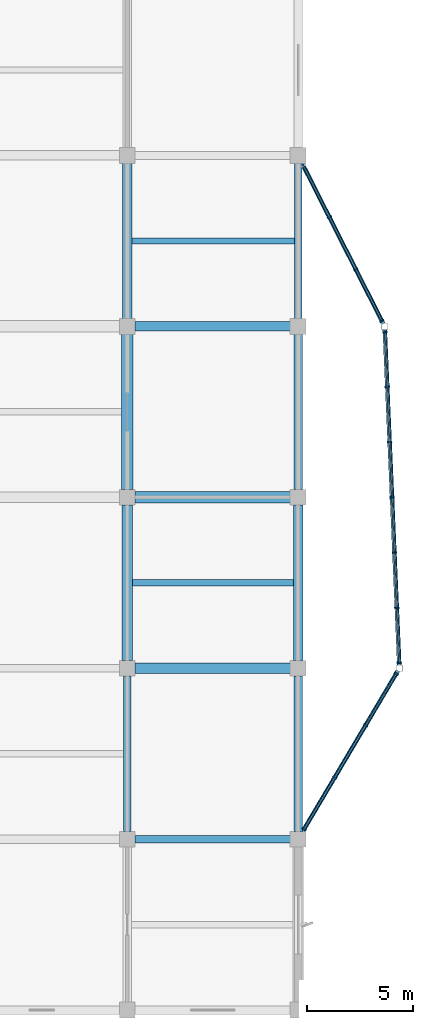
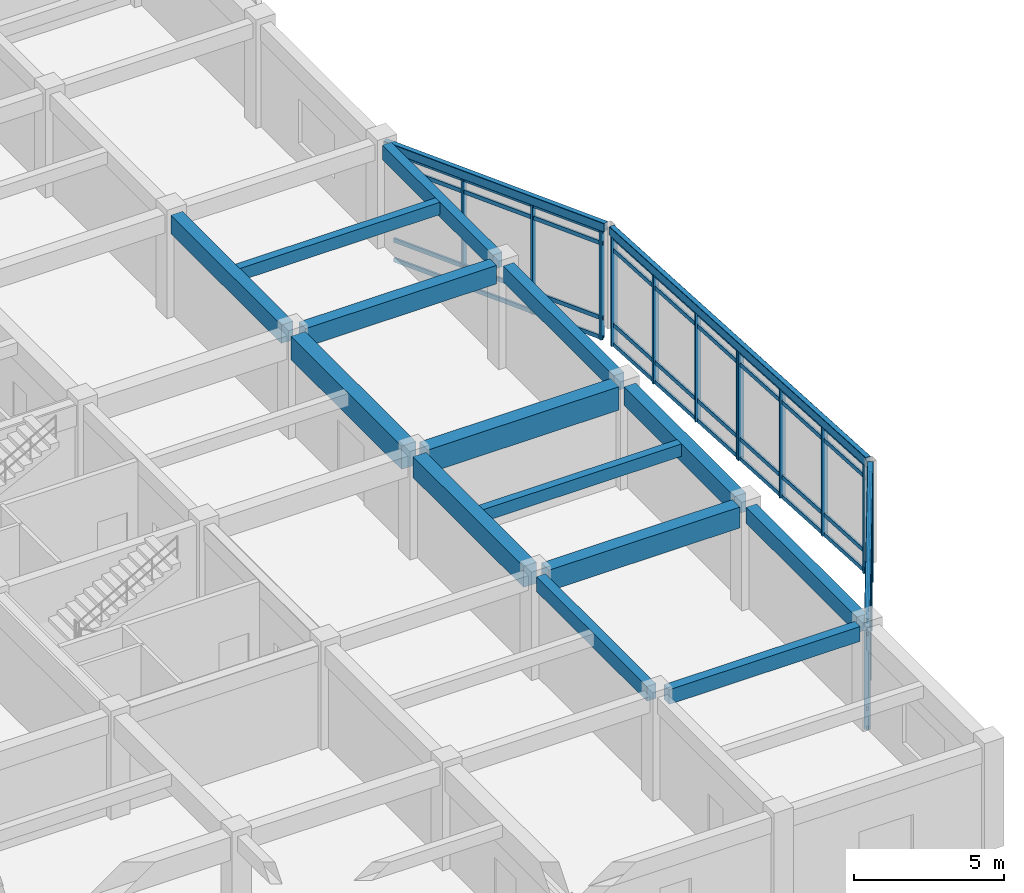
# One storey, part 28 of 70: 31 members, 17 beams, 4 elements without a shape of their own.
"""IFC4 building model written with IfcOpenShell, lengths in metres."""

from ifc_helpers import new_model, si_unit, direction, frame, origin, origin_2d, place, context, subcontext, project, spatial, rectangle, hollow_rectangle, extrude, material, layer, layer_set, material_profile, profile_set, type_object, element, aggregate, save


model = new_model("IFC4")

# Units and contexts
model_context = context("Model", 3, precision=1e-05, world=origin(), true_north=direction((0.0, 1.0)))
body_context = subcontext(model_context, "Body", "Model", "MODEL_VIEW")
ifc_project = project(units=[si_unit("LENGTHUNIT", "METRE"), si_unit("AREAUNIT", "SQUARE_METRE"), si_unit("VOLUMEUNIT", "CUBIC_METRE"), si_unit("PLANEANGLEUNIT", "RADIAN"), si_unit("MASSUNIT", "GRAM", prefix="KILO")], contexts=[model_context])

# Site, building, storey
site_placement = place(None, origin())
site = spatial("IfcSite", under=ifc_project, at=site_placement, CompositionType="ELEMENT")
building_placement = place(site_placement, origin())
building = spatial("IfcBuilding", under=site, at=building_placement, Name="Vaudrelin Polytechnic", CompositionType="ELEMENT")
storey_placement = place(building_placement, frame((0.0, 0.0, 14.110107421875)))
storey = spatial("IfcBuildingStorey", under=building, at=storey_placement, Name="L03", CompositionType="ELEMENT", Elevation=14.110107421875)

# Beams
ifc_material_1 = material(Name="Concrete 40 MPa", Category="concrete")
ifc_material_profile_1 = material_profile(ifc_material_1, rectangle(XDim=0.35009765625, YDim=0.60009765625, at=origin_2d()), Name="RC350x600")
ifc_profile_set_1 = profile_set([ifc_material_profile_1], Name="Concrete 40 MPa")
beam_type_1 = type_object("IfcBeamType", Name="BM-BM-RC3560", PredefinedType="BEAM", material=ifc_profile_set_1)
for number, where, z_axis, x_axis, name in (
    (1, (162.0, 24.659912109375, 3.85986328125), (0.0, 1.0, 0.0), (-1.0, 0.0, 0.0), "L03 Y-beam 21-4"),
    (2, (170.10009765625, 48.9599609375, 3.85986328125), (0.0, 1.0, 0.0), (-1.0, 0.0, 0.0), "L03 Y-beam 22-7"),
):
    element("IfcBeam", number, at=place(storey_placement, frame(where, z_axis=z_axis, x_axis=x_axis)), inside=storey, type_object=beam_type_1, Name=name, PredefinedType="BEAM", context=body_context, shape_type="SweptSolid", body=[
        extrude(rectangle(XDim=0.35009765625, YDim=0.60009765625, at=origin_2d()), origin(), (0.0, 0.0, 1.0), 7.380126953125),
    ])
beam_1_placement = place(storey_placement, frame((162.37109375, 24.300048828125, 3.85986328125), z_axis=(1.0, 0.0, 0.0), x_axis=(0.0, 1.0, 0.0)))
element("IfcBeam", 3, at=beam_1_placement, inside=storey, type_object=beam_type_1, Name="L03 X-beam 21-4", PredefinedType="BEAM", context=body_context, shape_type="SweptSolid", body=[
    extrude(rectangle(XDim=0.35009765625, YDim=0.60009765625, at=origin_2d()), origin(), (0.0, 0.0, 1.0), 7.35791015625),
])
ifc_material_profile_2 = material_profile(ifc_material_1, rectangle(XDim=0.39990234375, YDim=0.64990234375, at=origin_2d()), Name="RC400x650")
ifc_profile_set_2 = profile_set([ifc_material_profile_2], Name="Concrete 40 MPa")
beam_type_2 = type_object("IfcBeamType", Name="BM-BM-RC4065", PredefinedType="BEAM", material=ifc_profile_set_2)
beam_2_placement = place(storey_placement, frame((170.10009765625, 40.860107421875, 3.8349609375), z_axis=(0.0, 1.0, 0.0), x_axis=(-1.0, 0.0, 0.0)))
element("IfcBeam", 4, at=beam_2_placement, inside=storey, type_object=beam_type_2, Name="L03 Y-beam 22-6", PredefinedType="BEAM", context=body_context, shape_type="SweptSolid", body=[
    extrude(rectangle(XDim=0.39990234375, YDim=0.64990234375, at=origin_2d()), origin(), (0.0, 0.0, 1.0), 7.3798828125),
])
ifc_material_profile_3 = material_profile(ifc_material_1, rectangle(XDim=0.449951171875, YDim=0.75, at=origin_2d()), Name="RC450x750")
ifc_profile_set_3 = profile_set([ifc_material_profile_3], Name="Concrete 40 MPa")
beam_type_3 = type_object("IfcBeamType", Name="BM-BM-RC4575", PredefinedType="BEAM", material=ifc_profile_set_3)
beam_3_placement = place(storey_placement, frame((162.0, 48.9599609375, 3.784912109375), z_axis=(0.0, 1.0, 0.0), x_axis=(-1.0, 0.0, 0.0)))
element("IfcBeam", 5, at=beam_3_placement, inside=storey, type_object=beam_type_3, Name="L03 Y-beam 21-7", PredefinedType="BEAM", context=body_context, shape_type="SweptSolid", body=[
    extrude(rectangle(XDim=0.449951171875, YDim=0.75, at=origin_2d()), origin(), (0.0, 0.0, 1.0), 7.380126953125),
])
beam_4_placement = place(storey_placement, frame((170.10009765625, 32.760009765625, 3.784912109375), z_axis=(0.0, 1.0, 0.0), x_axis=(-1.0, 0.0, 0.0)))
element("IfcBeam", 6, at=beam_4_placement, inside=storey, type_object=beam_type_3, Name="L03 Y-beam 22-5", PredefinedType="BEAM", context=body_context, shape_type="SweptSolid", body=[
    extrude(rectangle(XDim=0.449951171875, YDim=0.75, at=origin_2d()), origin(), (0.0, 0.0, 1.0), 7.3798828125),
])
beam_5_placement = place(storey_placement, frame((162.37109375, 48.60009765625, 3.784912109375), z_axis=(1.0, 0.0, 0.0), x_axis=(0.0, 1.0, 0.0)))
element("IfcBeam", 7, at=beam_5_placement, inside=storey, type_object=beam_type_3, Name="L03 X-beam 21-7", PredefinedType="BEAM", context=body_context, shape_type="SweptSolid", body=[
    extrude(rectangle(XDim=0.449951171875, YDim=0.75, at=origin_2d()), origin(), (0.0, 0.0, 1.0), 7.35791015625),
])
ifc_material_profile_4 = material_profile(ifc_material_1, rectangle(XDim=0.5, YDim=0.85009765625, at=origin_2d()), Name="RC500x850")
ifc_profile_set_4 = profile_set([ifc_material_profile_4], Name="Concrete 40 MPa")
beam_type_4 = type_object("IfcBeamType", Name="BM-BM-RC5085", PredefinedType="BEAM", material=ifc_profile_set_4)
beam_6_placement = place(storey_placement, frame((162.0, 32.760009765625, 3.73486328125), z_axis=(0.0, 1.0, 0.0), x_axis=(-1.0, 0.0, 0.0)))
element("IfcBeam", 8, at=beam_6_placement, inside=storey, type_object=beam_type_4, Name="L03 Y-beam 21-5", PredefinedType="BEAM", context=body_context, shape_type="SweptSolid", body=[
    extrude(rectangle(XDim=0.5, YDim=0.85009765625, at=origin_2d()), origin(), (0.0, 0.0, 1.0), 7.3798828125),
])
beam_7_placement = place(storey_placement, frame((162.37109375, 32.39990234375, 3.73486328125), z_axis=(1.0, 0.0, 0.0), x_axis=(0.0, 1.0, 0.0)))
element("IfcBeam", 9, at=beam_7_placement, inside=storey, type_object=beam_type_4, Name="L03 X-beam 21-5", PredefinedType="BEAM", context=body_context, shape_type="SweptSolid", body=[
    extrude(rectangle(XDim=0.5, YDim=0.85009765625, at=origin_2d()), origin(), (0.0, 0.0, 1.0), 7.35791015625),
])
ifc_material_2 = material(Name="Concrete 50 MPa", Category="concrete")
ifc_material_profile_5 = material_profile(ifc_material_2, rectangle(XDim=0.550048828125, YDim=0.949951171875, at=origin_2d()), Name="RC550x950")
ifc_profile_set_5 = profile_set([ifc_material_profile_5], Name="Concrete 50 MPa")
beam_type_5 = type_object("IfcBeamType", Name="BM-BM-RC5595", PredefinedType="BEAM", material=ifc_profile_set_5)
beam_8_placement = place(storey_placement, frame((162.0, 40.860107421875, 3.684814453125), z_axis=(0.0, 1.0, 0.0), x_axis=(-1.0, 0.0, 0.0)))
element("IfcBeam", 10, at=beam_8_placement, inside=storey, type_object=beam_type_5, Name="L03 Y-beam 21-6", PredefinedType="BEAM", context=body_context, shape_type="SweptSolid", body=[
    extrude(rectangle(XDim=0.550048828125, YDim=0.949951171875, at=origin_2d()), origin(), (0.0, 0.0, 1.0), 7.3798828125),
])
beam_9_placement = place(storey_placement, frame((162.37109375, 40.5, 3.684814453125), z_axis=(1.0, 0.0, 0.0), x_axis=(0.0, 1.0, 0.0)))
element("IfcBeam", 11, at=beam_9_placement, inside=storey, type_object=beam_type_5, Name="L03 X-beam 21-6", PredefinedType="BEAM", context=body_context, shape_type="SweptSolid", body=[
    extrude(rectangle(XDim=0.550048828125, YDim=0.949951171875, at=origin_2d()), origin(), (0.0, 0.0, 1.0), 7.35791015625),
])
ifc_material_profile_6 = material_profile(ifc_material_1, rectangle(XDim=0.300048828125, YDim=0.5, at=origin_2d()), Name="RC300x500")
ifc_profile_set_6 = profile_set([ifc_material_profile_6], Name="Concrete 40 MPa")
beam_type_6 = type_object("IfcBeamType", Name="BM-JS-RC3050", PredefinedType="JOIST", material=ifc_profile_set_6)
beam_10_placement = place(storey_placement, frame((162.24609375, 36.449951171875, 3.909912109375), z_axis=(1.0, 0.0, 0.0), x_axis=(0.0, 1.0, 0.0)))
element("IfcBeam", 12, at=beam_10_placement, inside=storey, type_object=beam_type_6, Name="L03 floor joist 21-5", PredefinedType="JOIST", context=body_context, shape_type="SweptSolid", body=[
    extrude(rectangle(XDim=0.300048828125, YDim=0.5, at=origin_2d()), origin(), (0.0, 0.0, 1.0), 7.6328125),
])
beam_11_placement = place(storey_placement, frame((162.220947265625, 52.64990234375, 3.909912109375), z_axis=(1.0, 0.0, 0.0), x_axis=(0.0, 1.0, 0.0)))
element("IfcBeam", 13, at=beam_11_placement, inside=storey, type_object=beam_type_6, Name="L03 floor joist 21-7", PredefinedType="JOIST", context=body_context, shape_type="SweptSolid", body=[
    extrude(rectangle(XDim=0.300048828125, YDim=0.5, at=origin_2d()), origin(), (0.0, 0.0, 1.0), 7.7080078125),
])
ifc_material_3 = material(Name="Steel CSA G40.21 350WT", Category="steel")
ifc_material_profile_7 = material_profile(ifc_material_3, hollow_rectangle(XDim=0.202880859375, YDim=0.35595703125, WallThickness=0.0126953125, InnerFilletRadius=0.0126953125, OuterFilletRadius=0.025390625, at=origin_2d()), Name="HSS356x203x12.7")
ifc_profile_set_7 = profile_set([ifc_material_profile_7], Name="Steel CSA G40.21 350WT")
beam_type_7 = type_object("IfcBeamType", Name="BM-SP-HSS35", PredefinedType="SPANDREL", material=ifc_profile_set_7)
beam_12_placement = place(storey_placement, frame((170.17138671875, 24.42041015625, 3.98193359375), z_axis=(0.509799460083, 0.860293270053, 0.0), x_axis=(-0.860293270053, 0.509799460083, 0.0)))
element("IfcBeam", 14, at=beam_12_placement, inside=storey, type_object=beam_type_7, Name="Sculptural edge beam L03 E_OR1_B1", PredefinedType="SPANDREL", context=body_context, shape_type="SweptSolid", body=[
    extrude(hollow_rectangle(XDim=0.202880859375, YDim=0.35595703125, WallThickness=0.0126953125, InnerFilletRadius=0.0126953125, OuterFilletRadius=0.025390625, at=origin_2d()), origin(), (0.0, 0.0, 1.0), 9.135498046875),
])
beam_13_placement = place(storey_placement, frame((174.89404296875, 32.539794921875, 3.98193359375), z_axis=(-0.043173936739, 0.999067570881, 0.0), x_axis=(-0.999067570881, -0.043173936739, 0.0)))
element("IfcBeam", 15, at=beam_13_placement, inside=storey, type_object=beam_type_7, Name="Sculptural edge beam L03 E_OR1_B2", PredefinedType="SPANDREL", context=body_context, shape_type="SweptSolid", body=[
    extrude(hollow_rectangle(XDim=0.202880859375, YDim=0.35595703125, WallThickness=0.0126953125, InnerFilletRadius=0.0126953125, OuterFilletRadius=0.025390625, at=origin_2d()), origin(), (0.0, 0.0, 1.0), 15.935302734375),
])
beam_14_placement = place(storey_placement, frame((174.13671875, 48.724853515625, 3.98193359375), z_axis=(-0.451614433944, 0.892213204931, 0.0), x_axis=(-0.892213204931, -0.451614433944, 0.0)))
element("IfcBeam", 16, at=beam_14_placement, inside=storey, type_object=beam_type_7, Name="Sculptural edge beam L03 E_OR1_B3", PredefinedType="SPANDREL", context=body_context, shape_type="SweptSolid", body=[
    extrude(hollow_rectangle(XDim=0.202880859375, YDim=0.35595703125, WallThickness=0.0126953125, InnerFilletRadius=0.0126953125, OuterFilletRadius=0.025390625, at=origin_2d()), origin(), (0.0, 0.0, 1.0), 8.798828125),
])
ifc_material_profile_8 = material_profile(ifc_material_1, rectangle(XDim=0.39990234375, YDim=0.64990234375, at=origin_2d()), Name="RC400x650")
ifc_profile_set_8 = profile_set([ifc_material_profile_8], Name="Concrete 40 MPa")
beam_type_8 = type_object("IfcBeamType", Name="BM-SP-RC4065", PredefinedType="SPANDREL", material=ifc_profile_set_8)
beam_15_placement = place(storey_placement, frame((170.10009765625, 24.659912109375, 3.8349609375), z_axis=(0.0, 1.0, 0.0), x_axis=(-1.0, 0.0, 0.0)))
element("IfcBeam", 17, at=beam_15_placement, inside=storey, type_object=beam_type_8, Name="L03 Y-beam 22-4", PredefinedType="SPANDREL", context=body_context, shape_type="SweptSolid", body=[
    extrude(rectangle(XDim=0.39990234375, YDim=0.64990234375, at=origin_2d()), origin(), (0.0, 0.0, 1.0), 7.380126953125),
])

# Curtain wall, members
ifc_material_4 = material(Name="Thermally broken anodised aluminium AA 6063-T6 and low-e triple glazing", Category="aluminium")
ifc_layer = layer(ifc_material_4, 0.199951171875)
ifc_layer_set = layer_set([ifc_layer], Name="Thermally broken anodised aluminium AA 6063-T6 and low-e triple glazing")
curtain_wall_type = type_object("IfcCurtainWallType", Name="CW-CW-LAB", PredefinedType="USERDEFINED", material=ifc_layer_set)
curtain_wall_1_placement = place(storey_placement, origin())
curtain_wall_1 = element("IfcCurtainWall", 18, at=curtain_wall_1_placement, inside=storey, type_object=curtain_wall_type, Name="Curtain wall L03 E_OR1_1_0", ObjectType="CURTAIN WALL", PredefinedType="USERDEFINED")
ifc_material_5 = material(Name="Anodised aluminium AA 6063-T6", Category="aluminium")
ifc_material_profile_9 = material_profile(ifc_material_5, rectangle(XDim=0.074951171875, YDim=0.219970703125, at=origin_2d()), Name="CWM-75x220")
ifc_profile_set_9 = profile_set([ifc_material_profile_9], Name="Anodised aluminium AA 6063-T6")
member_type_1 = type_object("IfcMemberType", Name="MEM-CWM-220", PredefinedType="MULLION", material=ifc_profile_set_9)
member_1_placement = place(storey_placement, frame((170.385986328125, 24.782470703125, -0.630126953125), z_axis=(0.0, 0.0, 1.0), x_axis=(0.509796356978, 0.860295108908, 0.0)))
member_1 = element("IfcMember", 19, at=member_1_placement, type_object=member_type_1, Name="E_OR1_1_0 mullion 1", PredefinedType="MULLION", context=body_context, shape_type="SweptSolid", body=[
    extrude(rectangle(XDim=0.074951171875, YDim=0.219970703125, at=origin_2d()), origin(), (0.0, 0.0, 1.0), 4.43994140625),
])
member_2_placement = place(storey_placement, frame((171.83251953125, 27.223388671875, -0.630126953125), z_axis=(0.0, 0.0, 1.0), x_axis=(0.509796356978, 0.860295108908, 0.0)))
member_2 = element("IfcMember", 20, at=member_2_placement, type_object=member_type_1, Name="E_OR1_1_0 mullion 2", PredefinedType="MULLION", context=body_context, shape_type="SweptSolid", body=[
    extrude(rectangle(XDim=0.074951171875, YDim=0.219970703125, at=origin_2d()), origin(), (0.0, 0.0, 1.0), 4.43994140625),
])
member_3_placement = place(storey_placement, frame((173.29931640625, 29.698974609375, -0.630126953125), z_axis=(0.0, 0.0, 1.0), x_axis=(0.509796356978, 0.860295108908, 0.0)))
member_3 = element("IfcMember", 21, at=member_3_placement, type_object=member_type_1, Name="E_OR1_1_0 mullion 3", PredefinedType="MULLION", context=body_context, shape_type="SweptSolid", body=[
    extrude(rectangle(XDim=0.074951171875, YDim=0.219970703125, at=origin_2d()), origin(), (0.0, 0.0, 1.0), 4.43994140625),
])
member_4_placement = place(storey_placement, frame((174.745849609375, 32.139892578125, -0.630126953125), z_axis=(0.0, 0.0, 1.0), x_axis=(0.509796356978, 0.860295108908, 0.0)))
member_4 = element("IfcMember", 22, at=member_4_placement, type_object=member_type_1, Name="E_OR1_1_0 mullion 4", PredefinedType="MULLION", context=body_context, shape_type="SweptSolid", body=[
    extrude(rectangle(XDim=0.074951171875, YDim=0.219970703125, at=origin_2d()), origin(), (0.0, 0.0, 1.0), 4.43994140625),
])

curtain_wall_2_placement = place(storey_placement, origin())
curtain_wall_2 = element("IfcCurtainWall", 23, at=curtain_wall_2_placement, inside=storey, type_object=curtain_wall_type, Name="Curtain wall L03 E_OR1_2_0", ObjectType="CURTAIN WALL", PredefinedType="USERDEFINED")
member_5_placement = place(storey_placement, frame((174.887939453125, 32.677490234375, -0.630126953125), z_axis=(0.0, 0.0, 1.0), x_axis=(-0.043164270821, 0.99906798854, 0.0)))
member_5 = element("IfcMember", 24, at=member_5_placement, type_object=member_type_1, Name="E_OR1_2_0 mullion 1", PredefinedType="MULLION", context=body_context, shape_type="SweptSolid", body=[
    extrude(rectangle(XDim=0.074951171875, YDim=0.219970703125, at=origin_2d()), origin(), (0.0, 0.0, 1.0), 4.43994140625),
])
member_6_placement = place(storey_placement, frame((174.776611328125, 35.25830078125, -0.630126953125), z_axis=(0.0, 0.0, 1.0), x_axis=(-0.043164270821, 0.99906798854, 0.0)))
member_6 = element("IfcMember", 25, at=member_6_placement, type_object=member_type_1, Name="E_OR1_2_0 mullion 2", PredefinedType="MULLION", context=body_context, shape_type="SweptSolid", body=[
    extrude(rectangle(XDim=0.074951171875, YDim=0.219970703125, at=origin_2d()), origin(), (0.0, 0.0, 1.0), 4.43994140625),
])
member_7_placement = place(storey_placement, frame((174.6630859375, 37.879150390625, -0.630126953125), z_axis=(0.0, 0.0, 1.0), x_axis=(-0.043164270821, 0.99906798854, 0.0)))
member_7 = element("IfcMember", 26, at=member_7_placement, type_object=member_type_1, Name="E_OR1_2_0 mullion 3", PredefinedType="MULLION", context=body_context, shape_type="SweptSolid", body=[
    extrude(rectangle(XDim=0.074951171875, YDim=0.219970703125, at=origin_2d()), origin(), (0.0, 0.0, 1.0), 4.43994140625),
])
member_8_placement = place(storey_placement, frame((174.5517578125, 40.4599609375, -0.630126953125), z_axis=(0.0, 0.0, 1.0), x_axis=(-0.043164270821, 0.99906798854, 0.0)))
member_8 = element("IfcMember", 27, at=member_8_placement, type_object=member_type_1, Name="E_OR1_2_0 mullion 4", PredefinedType="MULLION", context=body_context, shape_type="SweptSolid", body=[
    extrude(rectangle(XDim=0.074951171875, YDim=0.219970703125, at=origin_2d()), origin(), (0.0, 0.0, 1.0), 4.43994140625),
])

curtain_wall_3_placement = place(storey_placement, origin())
curtain_wall_3 = element("IfcCurtainWall", 28, at=curtain_wall_3_placement, inside=storey, type_object=curtain_wall_type, Name="Curtain wall L03 E_OR1_2_1", ObjectType="CURTAIN WALL", PredefinedType="USERDEFINED")
member_9_placement = place(storey_placement, frame((174.54833984375, 40.5400390625, -0.630126953125), z_axis=(0.0, 0.0, 1.0), x_axis=(-0.043164270821, 0.99906798854, 0.0)))
member_9 = element("IfcMember", 29, at=member_9_placement, type_object=member_type_1, Name="E_OR1_2_1 mullion 1", PredefinedType="MULLION", context=body_context, shape_type="SweptSolid", body=[
    extrude(rectangle(XDim=0.074951171875, YDim=0.219970703125, at=origin_2d()), origin(), (0.0, 0.0, 1.0), 4.43994140625),
])
member_10_placement = place(storey_placement, frame((174.436767578125, 43.120849609375, -0.630126953125), z_axis=(0.0, 0.0, 1.0), x_axis=(-0.043164270821, 0.99906798854, 0.0)))
member_10 = element("IfcMember", 30, at=member_10_placement, type_object=member_type_1, Name="E_OR1_2_1 mullion 2", PredefinedType="MULLION", context=body_context, shape_type="SweptSolid", body=[
    extrude(rectangle(XDim=0.074951171875, YDim=0.219970703125, at=origin_2d()), origin(), (0.0, 0.0, 1.0), 4.43994140625),
])
member_11_placement = place(storey_placement, frame((174.323486328125, 45.74169921875, -0.630126953125), z_axis=(0.0, 0.0, 1.0), x_axis=(-0.043164270821, 0.99906798854, 0.0)))
member_11 = element("IfcMember", 31, at=member_11_placement, type_object=member_type_1, Name="E_OR1_2_1 mullion 3", PredefinedType="MULLION", context=body_context, shape_type="SweptSolid", body=[
    extrude(rectangle(XDim=0.074951171875, YDim=0.219970703125, at=origin_2d()), origin(), (0.0, 0.0, 1.0), 4.43994140625),
])
member_12_placement = place(storey_placement, frame((174.2119140625, 48.322509765625, -0.630126953125), z_axis=(0.0, 0.0, 1.0), x_axis=(-0.043164270821, 0.99906798854, 0.0)))
member_12 = element("IfcMember", 32, at=member_12_placement, type_object=member_type_1, Name="E_OR1_2_1 mullion 4", PredefinedType="MULLION", context=body_context, shape_type="SweptSolid", body=[
    extrude(rectangle(XDim=0.074951171875, YDim=0.219970703125, at=origin_2d()), origin(), (0.0, 0.0, 1.0), 4.43994140625),
])

curtain_wall_4_placement = place(storey_placement, origin())
curtain_wall_4 = element("IfcCurtainWall", 33, at=curtain_wall_4_placement, inside=storey, type_object=curtain_wall_type, Name="Curtain wall L03 E_OR1_3_0", ObjectType="CURTAIN WALL", PredefinedType="USERDEFINED")
member_13_placement = place(storey_placement, frame((174.06640625, 48.864013671875, -0.630126953125), z_axis=(0.0, 0.0, 1.0), x_axis=(-0.451608607789, 0.892216153951, 0.0)))
member_13 = element("IfcMember", 34, at=member_13_placement, type_object=member_type_1, Name="E_OR1_3_0 mullion 1", PredefinedType="MULLION", context=body_context, shape_type="SweptSolid", body=[
    extrude(rectangle(XDim=0.074951171875, YDim=0.219970703125, at=origin_2d()), origin(), (0.0, 0.0, 1.0), 4.43994140625),
])
member_14_placement = place(storey_placement, frame((172.832275390625, 51.302001953125, -0.630126953125), z_axis=(0.0, 0.0, 1.0), x_axis=(-0.451608607789, 0.892216153951, 0.0)))
member_14 = element("IfcMember", 35, at=member_14_placement, type_object=member_type_1, Name="E_OR1_3_0 mullion 2", PredefinedType="MULLION", context=body_context, shape_type="SweptSolid", body=[
    extrude(rectangle(XDim=0.074951171875, YDim=0.219970703125, at=origin_2d()), origin(), (0.0, 0.0, 1.0), 4.43994140625),
])
member_15_placement = place(storey_placement, frame((171.580322265625, 53.775634765625, -0.630126953125), z_axis=(0.0, 0.0, 1.0), x_axis=(-0.451608607789, 0.892216153951, 0.0)))
member_15 = element("IfcMember", 36, at=member_15_placement, type_object=member_type_1, Name="E_OR1_3_0 mullion 3", PredefinedType="MULLION", context=body_context, shape_type="SweptSolid", body=[
    extrude(rectangle(XDim=0.074951171875, YDim=0.219970703125, at=origin_2d()), origin(), (0.0, 0.0, 1.0), 4.43994140625),
])

# Member
ifc_material_profile_10 = material_profile(ifc_material_5, rectangle(XDim=0.074951171875, YDim=0.1650390625, at=origin_2d()), Name="CWT-75x165")
ifc_profile_set_10 = profile_set([ifc_material_profile_10], Name="Anodised aluminium AA 6063-T6")
member_type_2 = type_object("IfcMemberType", Name="MEM-CWT-165", PredefinedType="USERDEFINED", material=ifc_profile_set_10)
member_16_placement = place(storey_placement, frame((170.365478515625, 24.748046875, -0.580078125), z_axis=(0.509813243699, 0.860285101899, 0.0), x_axis=(-0.860285101899, 0.509813243699, 0.0)))
member_16 = element("IfcMember", 37, at=member_16_placement, type_object=member_type_2, Name="E_OR1_1_0 transom 1", ObjectType="TRANSOM", PredefinedType="USERDEFINED", context=body_context, shape_type="SweptSolid", body=[
    extrude(rectangle(XDim=0.074951171875, YDim=0.1650390625, at=origin_2d()), origin(), (0.0, 0.0, 1.0), 8.63232421875),
])

member_17_placement = place(storey_placement, frame((170.365478515625, 24.748046875, 0.219970703125), z_axis=(0.509813243699, 0.860285101899, 0.0), x_axis=(-0.860285101899, 0.509813243699, 0.0)))
member_17 = element("IfcMember", 38, at=member_17_placement, type_object=member_type_2, Name="E_OR1_1_0 transom 2", ObjectType="TRANSOM", PredefinedType="USERDEFINED", context=body_context, shape_type="SweptSolid", body=[
    extrude(rectangle(XDim=0.074951171875, YDim=0.1650390625, at=origin_2d()), origin(), (0.0, 0.0, 1.0), 8.63232421875),
])

member_18_placement = place(storey_placement, frame((170.365478515625, 24.748046875, 3.260009765625), z_axis=(0.509813243699, 0.860285101899, 0.0), x_axis=(-0.860285101899, 0.509813243699, 0.0)))
member_18 = element("IfcMember", 39, at=member_18_placement, type_object=member_type_2, Name="E_OR1_1_0 transom 3", ObjectType="TRANSOM", PredefinedType="USERDEFINED", context=body_context, shape_type="SweptSolid", body=[
    extrude(rectangle(XDim=0.074951171875, YDim=0.1650390625, at=origin_2d()), origin(), (0.0, 0.0, 1.0), 8.63232421875),
])

member_19_placement = place(storey_placement, frame((170.365478515625, 24.748046875, 3.760009765625), z_axis=(0.509813243699, 0.860285101899, 0.0), x_axis=(-0.860285101899, 0.509813243699, 0.0)))
member_19 = element("IfcMember", 40, at=member_19_placement, type_object=member_type_2, Name="E_OR1_1_0 transom 4", ObjectType="TRANSOM", PredefinedType="USERDEFINED", context=body_context, shape_type="SweptSolid", body=[
    extrude(rectangle(XDim=0.074951171875, YDim=0.1650390625, at=origin_2d()), origin(), (0.0, 0.0, 1.0), 8.63232421875),
])

aggregate(curtain_wall_1, [member_1, member_2, member_3, member_4, member_16, member_17, member_18, member_19])

member_20_placement = place(storey_placement, frame((174.8896484375, 32.637451171875, -0.580078125), z_axis=(-0.043151818671, 0.999068526451, 0.0), x_axis=(-0.999068526451, -0.043151818671, 0.0)))
member_20 = element("IfcMember", 41, at=member_20_placement, type_object=member_type_2, Name="E_OR1_2_0 transom 1", ObjectType="TRANSOM", PredefinedType="USERDEFINED", context=body_context, shape_type="SweptSolid", body=[
    extrude(rectangle(XDim=0.074951171875, YDim=0.1650390625, at=origin_2d()), origin(), (0.0, 0.0, 1.0), 7.869873046875),
])

member_21_placement = place(storey_placement, frame((174.8896484375, 32.637451171875, 0.219970703125), z_axis=(-0.043151818671, 0.999068526451, 0.0), x_axis=(-0.999068526451, -0.043151818671, 0.0)))
member_21 = element("IfcMember", 42, at=member_21_placement, type_object=member_type_2, Name="E_OR1_2_0 transom 2", ObjectType="TRANSOM", PredefinedType="USERDEFINED", context=body_context, shape_type="SweptSolid", body=[
    extrude(rectangle(XDim=0.074951171875, YDim=0.1650390625, at=origin_2d()), origin(), (0.0, 0.0, 1.0), 7.869873046875),
])

member_22_placement = place(storey_placement, frame((174.8896484375, 32.637451171875, 3.260009765625), z_axis=(-0.043151818671, 0.999068526451, 0.0), x_axis=(-0.999068526451, -0.043151818671, 0.0)))
member_22 = element("IfcMember", 43, at=member_22_placement, type_object=member_type_2, Name="E_OR1_2_0 transom 3", ObjectType="TRANSOM", PredefinedType="USERDEFINED", context=body_context, shape_type="SweptSolid", body=[
    extrude(rectangle(XDim=0.074951171875, YDim=0.1650390625, at=origin_2d()), origin(), (0.0, 0.0, 1.0), 7.869873046875),
])

member_23_placement = place(storey_placement, frame((174.8896484375, 32.637451171875, 3.760009765625), z_axis=(-0.043151818671, 0.999068526451, 0.0), x_axis=(-0.999068526451, -0.043151818671, 0.0)))
member_23 = element("IfcMember", 44, at=member_23_placement, type_object=member_type_2, Name="E_OR1_2_0 transom 4", ObjectType="TRANSOM", PredefinedType="USERDEFINED", context=body_context, shape_type="SweptSolid", body=[
    extrude(rectangle(XDim=0.074951171875, YDim=0.1650390625, at=origin_2d()), origin(), (0.0, 0.0, 1.0), 7.869873046875),
])

aggregate(curtain_wall_2, [member_5, member_6, member_7, member_8, member_20, member_21, member_22, member_23])

member_24_placement = place(storey_placement, frame((174.550048828125, 40.5, -0.580078125), z_axis=(-0.043182782999, 0.999067188558, 0.0), x_axis=(-0.999067188558, -0.043182782999, 0.0)))
member_24 = element("IfcMember", 45, at=member_24_placement, type_object=member_type_2, Name="E_OR1_2_1 transom 1", ObjectType="TRANSOM", PredefinedType="USERDEFINED", context=body_context, shape_type="SweptSolid", body=[
    extrude(rectangle(XDim=0.074951171875, YDim=0.1650390625, at=origin_2d()), origin(), (0.0, 0.0, 1.0), 7.869873046875),
])

member_25_placement = place(storey_placement, frame((174.550048828125, 40.5, 0.219970703125), z_axis=(-0.043182782999, 0.999067188558, 0.0), x_axis=(-0.999067188558, -0.043182782999, 0.0)))
member_25 = element("IfcMember", 46, at=member_25_placement, type_object=member_type_2, Name="E_OR1_2_1 transom 2", ObjectType="TRANSOM", PredefinedType="USERDEFINED", context=body_context, shape_type="SweptSolid", body=[
    extrude(rectangle(XDim=0.074951171875, YDim=0.1650390625, at=origin_2d()), origin(), (0.0, 0.0, 1.0), 7.869873046875),
])

member_26_placement = place(storey_placement, frame((174.550048828125, 40.5, 3.260009765625), z_axis=(-0.043182782999, 0.999067188558, 0.0), x_axis=(-0.999067188558, -0.043182782999, 0.0)))
member_26 = element("IfcMember", 47, at=member_26_placement, type_object=member_type_2, Name="E_OR1_2_1 transom 3", ObjectType="TRANSOM", PredefinedType="USERDEFINED", context=body_context, shape_type="SweptSolid", body=[
    extrude(rectangle(XDim=0.074951171875, YDim=0.1650390625, at=origin_2d()), origin(), (0.0, 0.0, 1.0), 7.869873046875),
])

member_27_placement = place(storey_placement, frame((174.550048828125, 40.5, 3.760009765625), z_axis=(-0.043182782999, 0.999067188558, 0.0), x_axis=(-0.999067188558, -0.043182782999, 0.0)))
member_27 = element("IfcMember", 48, at=member_27_placement, type_object=member_type_2, Name="E_OR1_2_1 transom 4", ObjectType="TRANSOM", PredefinedType="USERDEFINED", context=body_context, shape_type="SweptSolid", body=[
    extrude(rectangle(XDim=0.074951171875, YDim=0.1650390625, at=origin_2d()), origin(), (0.0, 0.0, 1.0), 7.869873046875),
])

aggregate(curtain_wall_3, [member_9, member_10, member_11, member_12, member_24, member_25, member_26, member_27])

member_28_placement = place(storey_placement, frame((174.08447265625, 48.828369140625, -0.580078125), z_axis=(-0.451622815368, 0.892208962429, 0.0), x_axis=(-0.892208962429, -0.451622815368, 0.0)))
member_28 = element("IfcMember", 49, at=member_28_placement, type_object=member_type_2, Name="E_OR1_3_0 transom 1", ObjectType="TRANSOM", PredefinedType="USERDEFINED", context=body_context, shape_type="SweptSolid", body=[
    extrude(rectangle(XDim=0.074951171875, YDim=0.1650390625, at=origin_2d()), origin(), (0.0, 0.0, 1.0), 8.3173828125),
])

member_29_placement = place(storey_placement, frame((174.08447265625, 48.828369140625, 0.219970703125), z_axis=(-0.451622815368, 0.892208962429, 0.0), x_axis=(-0.892208962429, -0.451622815368, 0.0)))
member_29 = element("IfcMember", 50, at=member_29_placement, type_object=member_type_2, Name="E_OR1_3_0 transom 2", ObjectType="TRANSOM", PredefinedType="USERDEFINED", context=body_context, shape_type="SweptSolid", body=[
    extrude(rectangle(XDim=0.074951171875, YDim=0.1650390625, at=origin_2d()), origin(), (0.0, 0.0, 1.0), 8.3173828125),
])

member_30_placement = place(storey_placement, frame((174.08447265625, 48.828369140625, 3.260009765625), z_axis=(-0.451622815368, 0.892208962429, 0.0), x_axis=(-0.892208962429, -0.451622815368, 0.0)))
member_30 = element("IfcMember", 51, at=member_30_placement, type_object=member_type_2, Name="E_OR1_3_0 transom 3", ObjectType="TRANSOM", PredefinedType="USERDEFINED", context=body_context, shape_type="SweptSolid", body=[
    extrude(rectangle(XDim=0.074951171875, YDim=0.1650390625, at=origin_2d()), origin(), (0.0, 0.0, 1.0), 8.3173828125),
])

member_31_placement = place(storey_placement, frame((174.08447265625, 48.828369140625, 3.760009765625), z_axis=(-0.451622815368, 0.892208962429, 0.0), x_axis=(-0.892208962429, -0.451622815368, 0.0)))
member_31 = element("IfcMember", 52, at=member_31_placement, type_object=member_type_2, Name="E_OR1_3_0 transom 4", ObjectType="TRANSOM", PredefinedType="USERDEFINED", context=body_context, shape_type="SweptSolid", body=[
    extrude(rectangle(XDim=0.074951171875, YDim=0.1650390625, at=origin_2d()), origin(), (0.0, 0.0, 1.0), 8.3173828125),
])

aggregate(curtain_wall_4, [member_13, member_14, member_15, member_28, member_29, member_30, member_31])

save(model, "model.ifc")
